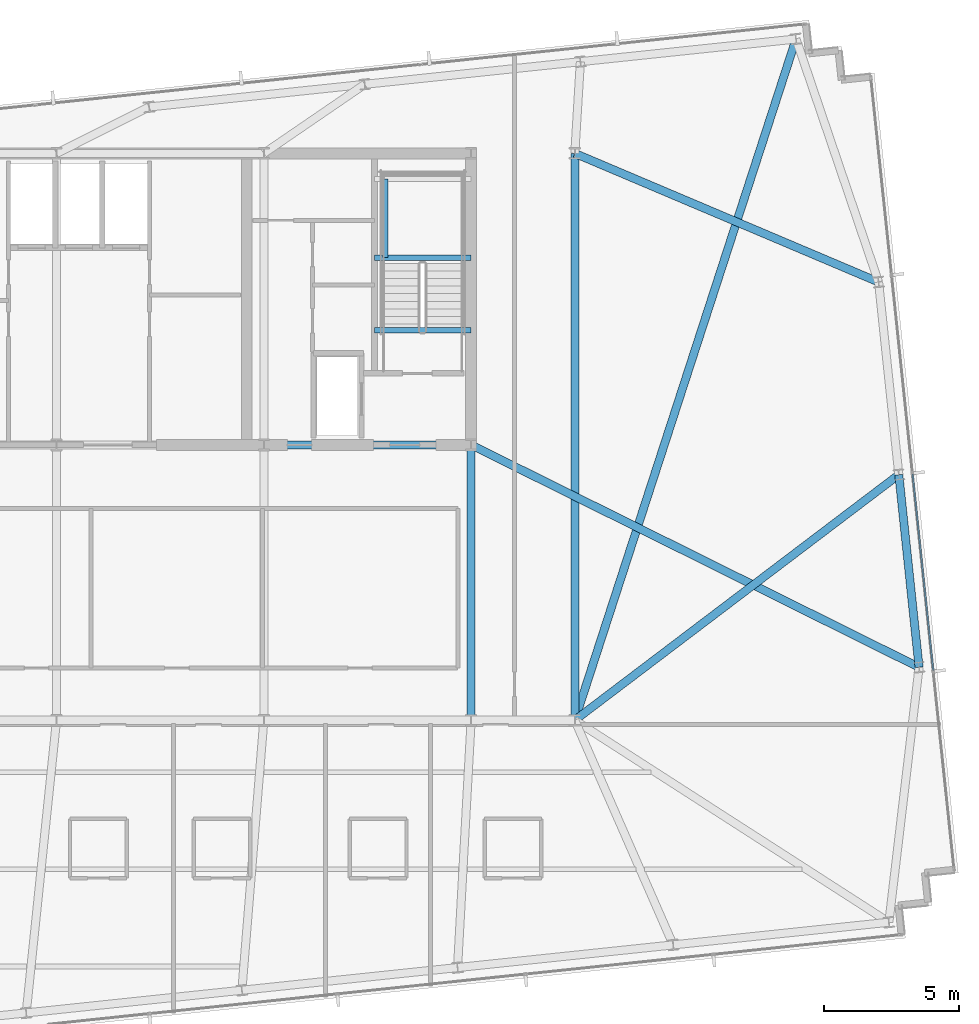
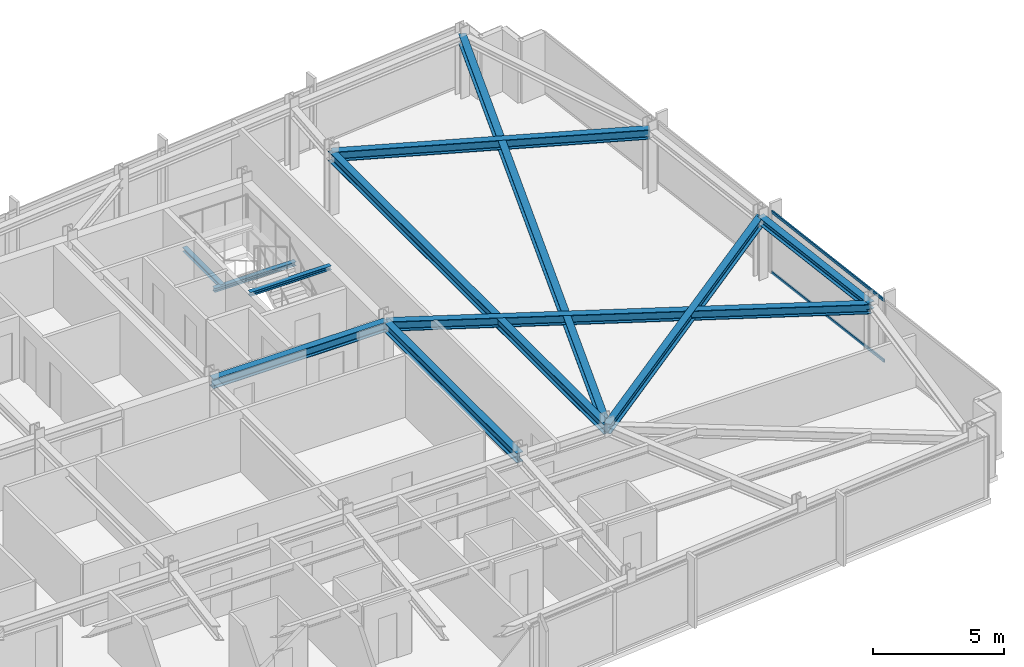
# One storey, part 18 of 33: 11 beams, 2 members, 1 element without a shape of its own.
"""IFC4 building model written with IfcOpenShell, lengths in metres."""

from ifc_helpers import new_model, si_unit, direction, frame, origin, origin_2d, place, context, subcontext, project, spatial, hollow_rectangle, i_section, extrude, material, material_profile, profile_set, type_object, element, aggregate, save


model = new_model("IFC4")

# Units and contexts
model_context = context("Model", 3, precision=1e-05, world=origin(), true_north=direction((0.0, 1.0)))
body_context = subcontext(model_context, "Body", "Model", "MODEL_VIEW")
ifc_project = project(units=[si_unit("LENGTHUNIT", "METRE"), si_unit("AREAUNIT", "SQUARE_METRE"), si_unit("VOLUMEUNIT", "CUBIC_METRE"), si_unit("PLANEANGLEUNIT", "RADIAN"), si_unit("MASSUNIT", "GRAM", prefix="KILO")], contexts=[model_context])

# Site, building, storey
site_placement = place(None, origin())
site = spatial("IfcSite", under=ifc_project, at=site_placement, CompositionType="ELEMENT")
building_placement = place(site_placement, origin())
building = spatial("IfcBuilding", under=site, at=building_placement, Name="Yelkora Congress Tower", CompositionType="ELEMENT")
storey_placement = place(building_placement, frame((0.0, 0.0, 244.10009765625)))
storey = spatial("IfcBuildingStorey", under=building, at=storey_placement, Name="L68", CompositionType="ELEMENT", Elevation=244.10009765625)

# Beams
ifc_material_1 = material(Name="Steel S355J2", Category="steel")
ifc_material_profile_1 = material_profile(ifc_material_1, i_section(OverallWidth=0.300048828125, OverallDepth=0.449951171875, WebThickness=0.013916015625, FlangeThickness=0.02587890625, FilletRadius=0.027099609375, at=origin_2d()), Name="HEB 450")
ifc_profile_set_1 = profile_set([ifc_material_profile_1], Name="Steel S355J2")
beam_type_1 = type_object("IfcBeamType", Name="BM-GIRD-HEB450", PredefinedType="BEAM", material=ifc_profile_set_1)
beam_1_placement = place(storey_placement, frame((46.080078125, 35.39990234375, 2.65478515625), z_axis=(1.0, 0.0, 0.0), x_axis=(0.0, 1.0, 0.0)))
element("IfcBeam", 1, at=beam_1_placement, inside=storey, type_object=beam_type_1, Name="L68 Core South Girder 4", PredefinedType="BEAM", context=body_context, shape_type="SweptSolid", body=[
    extrude(i_section(OverallWidth=0.300048828125, OverallDepth=0.449951171875, WebThickness=0.013916015625, FlangeThickness=0.02587890625, FilletRadius=0.027099609375, at=origin_2d()), origin(), (0.0, 0.0, 1.0), 7.679931640625),
])
beam_2_placement = place(storey_placement, frame((53.760009765625, 25.199951171875, 2.65478515625), z_axis=(0.0, 1.0, 0.0), x_axis=(-1.0, 0.0, 0.0)))
element("IfcBeam", 2, at=beam_2_placement, inside=storey, type_object=beam_type_1, Name="L68 Core Tie Girder MC-D5", PredefinedType="BEAM", context=body_context, shape_type="SweptSolid", body=[
    extrude(i_section(OverallWidth=0.300048828125, OverallDepth=0.449951171875, WebThickness=0.013916015625, FlangeThickness=0.02587890625, FilletRadius=0.027099609375, at=origin_2d()), origin(), (0.0, 0.0, 1.0), 10.199951171875),
])
beam_3_placement = place(storey_placement, frame((57.60009765625, 25.199951171875, 2.65478515625), z_axis=(0.0, 1.0, 0.0), x_axis=(-1.0, 0.0, 0.0)))
element("IfcBeam", 3, at=beam_3_placement, inside=storey, type_object=beam_type_1, Name="L68 Neck Flank Girder MC-F2", PredefinedType="BEAM", context=body_context, shape_type="SweptSolid", body=[
    extrude(i_section(OverallWidth=0.300048828125, OverallDepth=0.449951171875, WebThickness=0.013916015625, FlangeThickness=0.02587890625, FilletRadius=0.027099609375, at=origin_2d()), origin(), (0.0, 0.0, 1.0), 21.0),
])
beam_4_placement = place(storey_placement, frame((65.7958984375, 50.4365234375, 2.65478515625), z_axis=(-0.308878638672, -0.951101459663, 0.0), x_axis=(0.951101459663, -0.308878638672, 0.0)))
element("IfcBeam", 4, at=beam_4_placement, inside=storey, type_object=beam_type_1, Name="L68 Primary Frame Girder N07", PredefinedType="BEAM", context=body_context, shape_type="SweptSolid", body=[
    extrude(i_section(OverallWidth=0.300048828125, OverallDepth=0.449951171875, WebThickness=0.013916015625, FlangeThickness=0.02587890625, FilletRadius=0.027099609375, at=origin_2d()), origin(), (0.0, 0.0, 1.0), 26.533935546875),
])
beam_5_placement = place(storey_placement, frame((70.35400390625, 27.160400390625, 2.65478515625), z_axis=(-0.895665070913, 0.444729221826, 0.0), x_axis=(-0.444729221826, -0.895665070913, 0.0)))
element("IfcBeam", 5, at=beam_5_placement, inside=storey, type_object=beam_type_1, Name="L68 Primary Frame Girder E01", PredefinedType="BEAM", context=body_context, shape_type="SweptSolid", body=[
    extrude(i_section(OverallWidth=0.300048828125, OverallDepth=0.449951171875, WebThickness=0.013916015625, FlangeThickness=0.02587890625, FilletRadius=0.027099609375, at=origin_2d()), origin(), (0.0, 0.0, 1.0), 18.527099609375),
])
beam_6_placement = place(storey_placement, frame((69.60400390625, 34.296142578125, 2.65478515625), z_axis=(-0.797017901034, -0.603955681678, 0.0), x_axis=(0.603955681678, -0.797017901034, 0.0)))
element("IfcBeam", 6, at=beam_6_placement, inside=storey, type_object=beam_type_1, Name="L68 Primary Frame Girder E02", PredefinedType="BEAM", context=body_context, shape_type="SweptSolid", body=[
    extrude(i_section(OverallWidth=0.300048828125, OverallDepth=0.449951171875, WebThickness=0.013916015625, FlangeThickness=0.02587890625, FilletRadius=0.027099609375, at=origin_2d()), origin(), (0.0, 0.0, 1.0), 15.06103515625),
])
beam_7_placement = place(storey_placement, frame((68.85400390625, 41.431884765625, 2.65478515625), z_axis=(-0.920767530621, 0.390111720606, 0.0), x_axis=(-0.390111720606, -0.920767530621, 0.0)))
element("IfcBeam", 7, at=beam_7_placement, inside=storey, type_object=beam_type_1, Name="L68 Primary Frame Girder E03", PredefinedType="BEAM", context=body_context, shape_type="SweptSolid", body=[
    extrude(i_section(OverallWidth=0.300048828125, OverallDepth=0.449951171875, WebThickness=0.013916015625, FlangeThickness=0.02587890625, FilletRadius=0.027099609375, at=origin_2d()), origin(), (0.0, 0.0, 1.0), 12.222412109375),
])
ifc_material_profile_2 = material_profile(ifc_material_1, i_section(OverallWidth=0.199951171875, OverallDepth=0.18994140625, WebThickness=0.006591796875, FlangeThickness=0.010009765625, FilletRadius=0.01806640625, at=origin_2d()), Name="HEA 200")
ifc_profile_set_2 = profile_set([ifc_material_profile_2], Name="Steel S355J2")
beam_type_2 = type_object("IfcBeamType", Name="BM-LAND-HEA200", PredefinedType="BEAM", material=ifc_profile_set_2)
beam_8_placement = place(storey_placement, frame((50.179931640625, 42.340087890625, 1.33447265625), z_axis=(1.0, 0.0, 0.0), x_axis=(0.0, 1.0, 0.0)))
element("IfcBeam", 8, at=beam_8_placement, inside=storey, type_object=beam_type_2, Name="ST-02 L68 Landing Header Beam 1S", PredefinedType="BEAM", context=body_context, shape_type="SweptSolid", body=[
    extrude(i_section(OverallWidth=0.199951171875, OverallDepth=0.18994140625, WebThickness=0.006591796875, FlangeThickness=0.010009765625, FilletRadius=0.01806640625, at=origin_2d()), origin(), (0.0, 0.0, 1.0), 3.580078125),
])
beam_9_placement = place(storey_placement, frame((50.580078125, 42.340087890625, 1.33447265625), z_axis=(0.0, 1.0, 0.0), x_axis=(-1.0, 0.0, 0.0)))
element("IfcBeam", 9, at=beam_9_placement, inside=storey, type_object=beam_type_2, Name="ST-02 L68 Landing Trimmer Beam 1M", PredefinedType="BEAM", context=body_context, shape_type="SweptSolid", body=[
    extrude(i_section(OverallWidth=0.199951171875, OverallDepth=0.18994140625, WebThickness=0.006591796875, FlangeThickness=0.010009765625, FilletRadius=0.01806640625, at=origin_2d()), origin(), (0.0, 0.0, 1.0), 2.909912109375),
])
beam_10_placement = place(storey_placement, frame((50.179931640625, 39.639892578125, 2.784423828125), z_axis=(1.0, 0.0, 0.0), x_axis=(0.0, 1.0, 0.0)))
element("IfcBeam", 10, at=beam_10_placement, inside=storey, type_object=beam_type_2, Name="ST-02 L68 Floor Arrival Stringer Header Beam", PredefinedType="BEAM", context=body_context, shape_type="SweptSolid", body=[
    extrude(i_section(OverallWidth=0.199951171875, OverallDepth=0.18994140625, WebThickness=0.006591796875, FlangeThickness=0.010009765625, FilletRadius=0.01806640625, at=origin_2d()), origin(), (0.0, 0.0, 1.0), 3.580078125),
])
ifc_material_profile_3 = material_profile(ifc_material_1, i_section(OverallWidth=0.300048828125, OverallDepth=0.340087890625, WebThickness=0.011962890625, FlangeThickness=0.021484375, FilletRadius=0.027099609375, at=origin_2d()), Name="HEB 340")
ifc_profile_set_3 = profile_set([ifc_material_profile_3], Name="Steel S355J2")
beam_type_3 = type_object("IfcBeamType", Name="BM-SPAN-HEB340", PredefinedType="SPANDREL", material=ifc_profile_set_3)
beam_11_placement = place(storey_placement, frame((70.35400390625, 27.160400390625, 2.7099609375), z_axis=(-0.104528914631, 0.994521847928, 0.0), x_axis=(-0.994521847928, -0.104528914631, 0.0)))
element("IfcBeam", 11, at=beam_11_placement, inside=storey, type_object=beam_type_3, Name="L68 Perimeter Beam 10", PredefinedType="SPANDREL", context=body_context, shape_type="SweptSolid", body=[
    extrude(i_section(OverallWidth=0.300048828125, OverallDepth=0.340087890625, WebThickness=0.011962890625, FlangeThickness=0.021484375, FilletRadius=0.027099609375, at=origin_2d()), origin(), (0.0, 0.0, 1.0), 7.175048828125),
])

# Curtain wall, members
ifc_material_2 = material(Name="Anodised aluminium and insulated glass", Category="aluminium")
curtain_wall_type = type_object("IfcCurtainWallType", Name="CW-SYS-B4", PredefinedType="NOTDEFINED", material=ifc_material_2)
curtain_wall_placement = place(storey_placement, origin())
curtain_wall = element("IfcCurtainWall", 12, at=curtain_wall_placement, inside=storey, type_object=curtain_wall_type, Name="L68 Unitised Curtain Wall 15", PredefinedType="NOTDEFINED")
ifc_material_3 = material(Name="Anodised aluminium 6063-T6", Category="aluminium")
ifc_material_profile_4 = material_profile(ifc_material_3, hollow_rectangle(XDim=0.06005859375, YDim=0.1298828125, WallThickness=0.00390625, at=origin_2d()), Name="ALU 60x130x4")
ifc_profile_set_4 = profile_set([ifc_material_profile_4], Name="Anodised aluminium 6063-T6")
member_type = type_object("IfcMemberType", Name="MEM-TR-B4", PredefinedType="USERDEFINED", material=ifc_profile_set_4)
member_1_placement = place(storey_placement, frame((70.114501953125, 34.317138671875, 0.02978515625), z_axis=(0.104531896307, -0.994521534535, 0.0), x_axis=(0.994521534535, 0.104531896307, 0.0)))
member_1 = element("IfcMember", 13, at=member_1_placement, type_object=member_type, Name="CW-B4 transom 3.1", ObjectType="TRANSOM", PredefinedType="USERDEFINED", context=body_context, shape_type="SweptSolid", body=[
    extrude(hollow_rectangle(XDim=0.06005859375, YDim=0.1298828125, WallThickness=0.00390625, at=origin_2d()), origin(), (0.0, 0.0, 1.0), 7.31494140625),
])
member_2_placement = place(storey_placement, frame((70.114501953125, 34.317138671875, 2.849853515625), z_axis=(0.104531896307, -0.994521534535, 0.0), x_axis=(0.994521534535, 0.104531896307, 0.0)))
member_2 = element("IfcMember", 14, at=member_2_placement, type_object=member_type, Name="CW-B4 transom 3.2", ObjectType="TRANSOM", PredefinedType="USERDEFINED", context=body_context, shape_type="SweptSolid", body=[
    extrude(hollow_rectangle(XDim=0.06005859375, YDim=0.1298828125, WallThickness=0.00390625, at=origin_2d()), origin(), (0.0, 0.0, 1.0), 7.31494140625),
])
aggregate(curtain_wall, [member_1, member_2])

save(model, "model.ifc")
